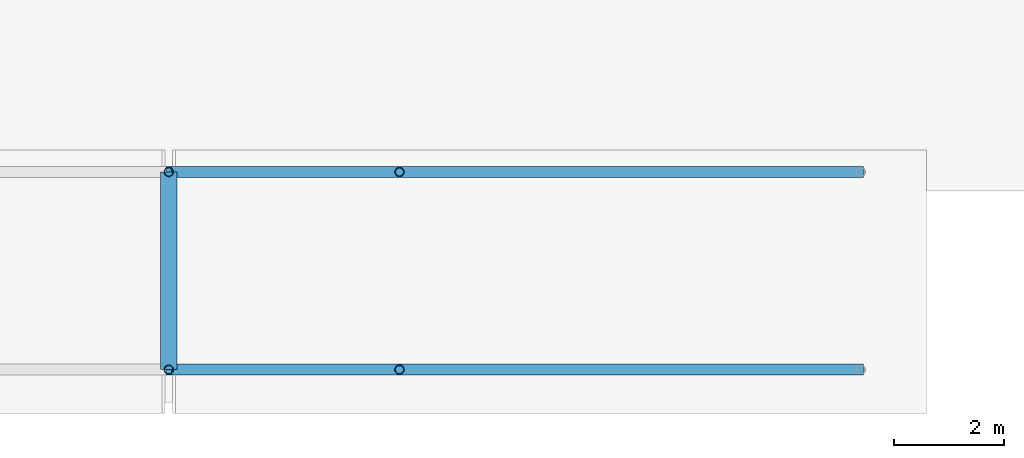
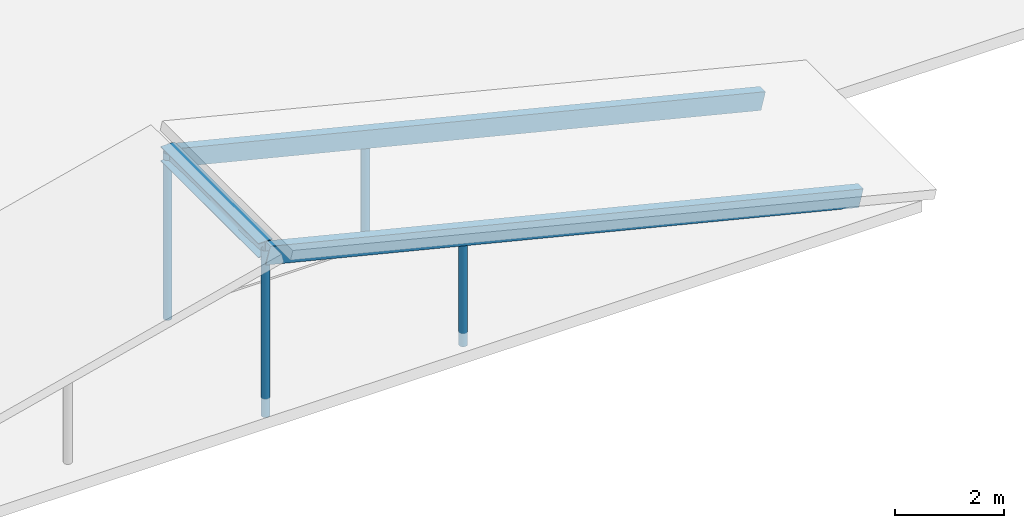
# One storey, part 41 of 217: 6 members, 1 beam.
"""IFC4 building model written with IfcOpenShell, lengths in metres."""

from ifc_helpers import new_model, si_unit, direction, frame, origin, origin_2d, place, context, subcontext, project, spatial, rectangle, hollow_circle, i_section, extrude, material, material_profile, profile_set, type_object, element, save


model = new_model("IFC4")

# Units and contexts
model_context = context("Model", 3, precision=1e-05, world=origin(), true_north=direction((0.0, 1.0)))
body_context = subcontext(model_context, "Body", "Model", "MODEL_VIEW")
ifc_project = project(units=[si_unit("LENGTHUNIT", "METRE"), si_unit("AREAUNIT", "SQUARE_METRE"), si_unit("VOLUMEUNIT", "CUBIC_METRE"), si_unit("PLANEANGLEUNIT", "RADIAN"), si_unit("MASSUNIT", "GRAM", prefix="KILO")], contexts=[model_context])

# Site, building, storey
site_placement = place(None, origin())
site = spatial("IfcSite", under=ifc_project, at=site_placement, CompositionType="ELEMENT")
building_placement = place(site_placement, origin())
building = spatial("IfcBuilding", under=site, at=building_placement, Name="Mazaris Harbour Polytechnic", CompositionType="ELEMENT")
storey_placement = place(building_placement, frame((0.0, 0.0, 9.60009765625)))
storey = spatial("IfcBuildingStorey", under=building, at=storey_placement, Name="L02", CompositionType="ELEMENT", Elevation=9.60009765625)

# Members
ifc_material_1 = material(Name="Glulam GL28h", Category="wood")
ifc_material_profile_1 = material_profile(ifc_material_1, rectangle(XDim=0.199951171875, YDim=0.39990234375, at=origin_2d()), Name="RECT200x400")
ifc_profile_set_1 = profile_set([ifc_material_profile_1], Name="Glulam GL28h")
member_type_1 = type_object("IfcMemberType", Name="Glulam Roof Rafter 200x400 Exterior", PredefinedType="RAFTER", material=ifc_profile_set_1)
for number, where, z_axis, x_axis, name in (
    (1, (96.0, -1.199951171875, 0.099853515625), (-0.970682190359, 0.0, 0.24036656448), (0.0, -1.0, 0.0), "Portico Pediment East Rafter -1.2"),
    (2, (96.0, 2.39990234375, 0.099853515625), (-0.970682190359, 0.0, 0.24036656448), (0.0, -1.0, 0.0), "Portico Pediment East Rafter 2.4"),
):
    element("IfcMember", number, at=place(storey_placement, frame(where, z_axis=z_axis, x_axis=x_axis)), inside=storey, type_object=member_type_1, Name=name, PredefinedType="RAFTER", context=body_context, shape_type="SweptSolid", body=[
        extrude(rectangle(XDim=0.199951171875, YDim=0.39990234375, at=origin_2d()), origin(), (0.0, 0.0, 1.0), 12.980712890625),
    ])

# Beam
ifc_material_2 = material(Name="Steel S355", Category="steel")
ifc_material_profile_2 = material_profile(ifc_material_2, i_section(OverallWidth=0.300048828125, OverallDepth=0.330078125, WebThickness=0.009521484375, FlangeThickness=0.0166015625, FilletRadius=0.027099609375, at=origin_2d()), Name="HEA 340")
ifc_profile_set_2 = profile_set([ifc_material_profile_2], Name="Steel S355")
beam_type = type_object("IfcBeamType", Name="Steel Beam HEA340 Exterior", PredefinedType="BEAM", material=ifc_profile_set_2)
beam_placement = place(storey_placement, frame((83.39990234375, -1.199951171875, 3.31982421875), z_axis=(0.0, 1.0, 0.0), x_axis=(-1.0, 0.0, 0.0)))
element("IfcBeam", 3, at=beam_placement, inside=storey, type_object=beam_type, Name="Portico Pediment Ridge Beam", PredefinedType="BEAM", context=body_context, shape_type="SweptSolid", body=[
    extrude(i_section(OverallWidth=0.300048828125, OverallDepth=0.330078125, WebThickness=0.009521484375, FlangeThickness=0.0166015625, FilletRadius=0.027099609375, at=origin_2d()), origin(), (0.0, 0.0, 1.0), 3.599853515625),
])

# Members
ifc_material_3 = material(Name="Steel S355", Category="steel")
ifc_material_profile_3 = material_profile(ifc_material_3, hollow_circle(Radius=0.084228515625, WallThickness=0.008056640625, at=origin_2d()), Name="CHS 168.3x8.0")
ifc_profile_set_3 = profile_set([ifc_material_profile_3], Name="Steel S355")
member_type_2 = type_object("IfcMemberType", Name="Steel Truss Strut CHS168 Exterior", PredefinedType="STRUT", material=ifc_profile_set_3)
member_1_placement = place(storey_placement, frame((87.60009765625, -1.199951171875, -0.300048828125), z_axis=(0.0, 0.0, 1.0), x_axis=(1.0, 0.0, 0.0)))
element("IfcMember", 4, at=member_1_placement, inside=storey, type_object=member_type_2, Name="Portico Pediment Queen Post 87.6", PredefinedType="STRUT", context=body_context, shape_type="SweptSolid", body=[
    extrude(hollow_circle(Radius=0.084228515625, WallThickness=0.008056640625, at=origin_2d()), origin(), (0.0, 0.0, 1.0), 2.449951171875),
])
member_2_placement = place(storey_placement, frame((83.39990234375, -1.199951171875, -0.420166015625), z_axis=(0.0, 0.0, 1.0), x_axis=(1.0, 0.0, 0.0)))
element("IfcMember", 5, at=member_2_placement, inside=storey, type_object=member_type_2, Name="Portico Pediment King Post -1.2", PredefinedType="STRUT", context=body_context, shape_type="SweptSolid", body=[
    extrude(hollow_circle(Radius=0.084228515625, WallThickness=0.008056640625, at=origin_2d()), origin(), (0.0, 0.0, 1.0), 3.739990234375),
])
member_3_placement = place(storey_placement, frame((87.60009765625, 2.39990234375, -0.300048828125), z_axis=(0.0, 0.0, 1.0), x_axis=(1.0, 0.0, 0.0)))
element("IfcMember", 6, at=member_3_placement, inside=storey, type_object=member_type_2, Name="Portico Pediment Queen Post 87.6", PredefinedType="STRUT", context=body_context, shape_type="SweptSolid", body=[
    extrude(hollow_circle(Radius=0.084228515625, WallThickness=0.008056640625, at=origin_2d()), origin(), (0.0, 0.0, 1.0), 2.449951171875),
])
member_4_placement = place(storey_placement, frame((83.39990234375, 2.39990234375, -0.420166015625), z_axis=(0.0, 0.0, 1.0), x_axis=(1.0, 0.0, 0.0)))
element("IfcMember", 7, at=member_4_placement, inside=storey, type_object=member_type_2, Name="Portico Pediment King Post 2.4", PredefinedType="STRUT", context=body_context, shape_type="SweptSolid", body=[
    extrude(hollow_circle(Radius=0.084228515625, WallThickness=0.008056640625, at=origin_2d()), origin(), (0.0, 0.0, 1.0), 3.739990234375),
])

save(model, "model.ifc")
